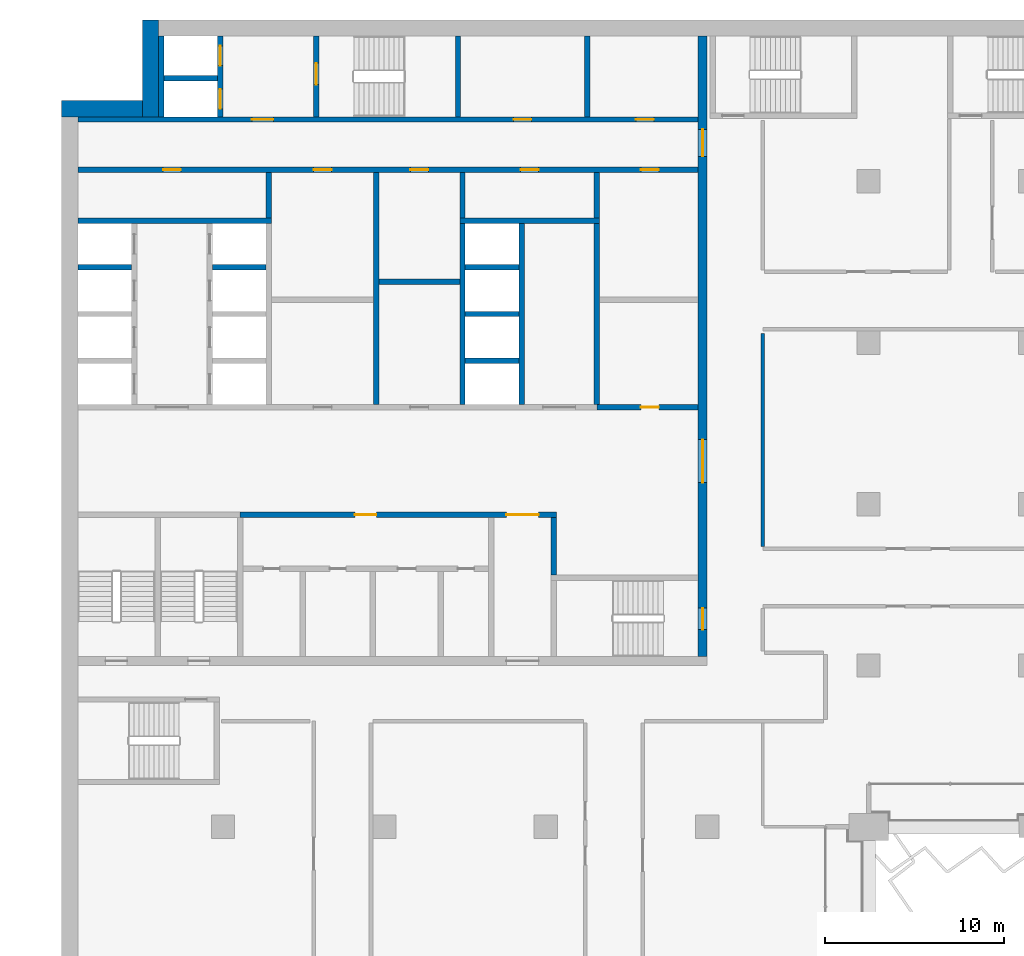
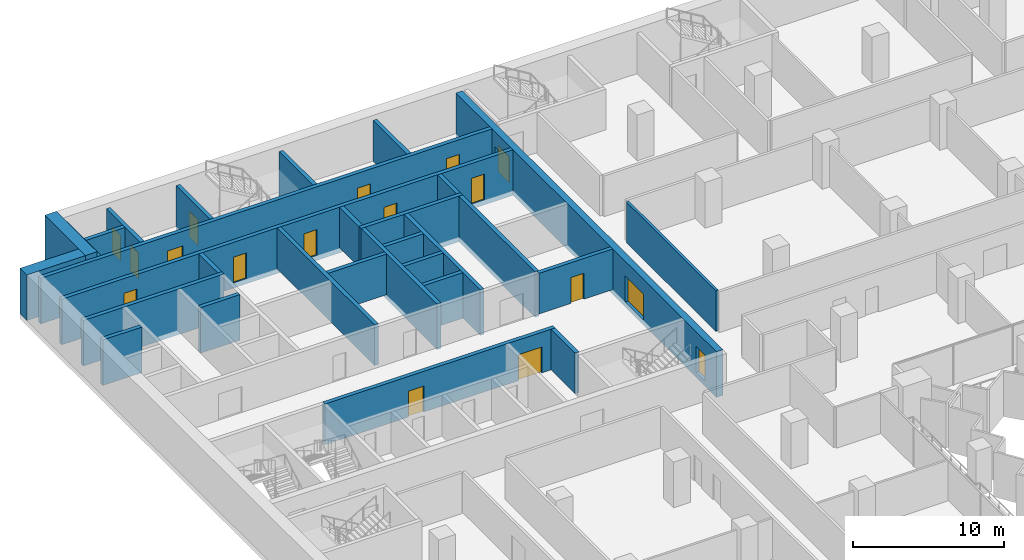
# One storey, part 13 of 22: 30 walls, 17 doors, 17 openings.
"""IFC4 building model written with IfcOpenShell, lengths in metres."""

import ifcopenshell
import ifcopenshell.guid

model = None  # the IFC model being written
_history = None  # IfcOwnerHistory: only IFC2X3 demands one
_inside = {}  # id of a spatial element -> (the spatial element, [elements in it])
_under = {}  # id of a project, library or spatial element -> (it, [spatial elements below it])
_declared = {}  # id of a project -> (the project, [libraries it declares])
_typed = {}  # id of a type object -> (the type object, [elements of that type])
_made_of = {}  # id of a material, layer set ... -> (it, [elements and type objects made of it])


def new_model(schema):
    """Start an empty IFC model of exactly this schema.

    Asked for "IFC4X3", IfcOpenShell would pick the latest addendum, in which some entities
    have other attributes; the version numbers below select the first issue.
    IFC2X3 requires an IfcOwnerHistory on every rooted entity: one is made here for all.
    """
    global model, _history
    if schema == "IFC4X3":
        model = ifcopenshell.file(schema_version=(4, 3, 0, 0))
    else:
        model = ifcopenshell.file(schema=schema)
    _inside.clear()
    _under.clear()
    _declared.clear()
    _typed.clear()
    _made_of.clear()
    _history = None
    if model.schema == "IFC2X3":
        org = make("IfcOrganization", Name="unknown")
        user = make(
            "IfcPersonAndOrganization",
            ThePerson=make("IfcPerson", FamilyName="unknown"),
            TheOrganization=org,
        )
        app = make(
            "IfcApplication",
            ApplicationDeveloper=org,
            Version="unknown",
            ApplicationFullName="unknown",
            ApplicationIdentifier="unknown",
        )
        _history = make(
            "IfcOwnerHistory",
            OwningUser=user,
            OwningApplication=app,
            ChangeAction="ADDED",
            CreationDate=0,
        )
    return model


def make(cls, **values):
    """One entity of the class cls with the attributes given. An attribute that is None is left unset."""
    return model.create_entity(
        cls, **{name: value for name, value in values.items() if value is not None}
    )


def rooted(cls, **values):
    """An entity with a GlobalId (a new one), such as an element, a storey or a relation."""
    return make(cls, GlobalId=ifcopenshell.guid.new(), OwnerHistory=_history, **values)


def si_unit(unit_type, name, prefix=None):
    """IfcSIUnit, for example si_unit("LENGTHUNIT", "METRE", prefix="MILLI")."""
    return make("IfcSIUnit", UnitType=unit_type, Prefix=prefix, Name=name)


def assignment(units):
    """IfcUnitAssignment: the units of a project."""
    return None if units is None else make("IfcUnitAssignment", Units=units)


def point(xyz):
    """IfcCartesianPoint."""
    return None if xyz is None else make("IfcCartesianPoint", Coordinates=xyz)


def direction(xyz):
    """IfcDirection."""
    return None if xyz is None else make("IfcDirection", DirectionRatios=xyz)


def frame(location, z_axis=None, x_axis=None):
    """IfcAxis2Placement3D, a coordinate frame: its origin and axes. An axis left out is left unset."""
    return make(
        "IfcAxis2Placement3D",
        Location=point(location),
        Axis=direction(z_axis),
        RefDirection=direction(x_axis),
    )


def frame_2d(location, x_axis=None):
    """IfcAxis2Placement2D, a coordinate frame in the plane: its origin and x axis."""
    return make(
        "IfcAxis2Placement2D", Location=point(location), RefDirection=direction(x_axis)
    )


def origin():
    """The frame at (0, 0, 0) with its axes left unset."""
    return frame((0.0, 0.0, 0.0))


def place(relative_to, where):
    """IfcLocalPlacement: puts the frame where relative to a parent placement (None: the world)."""
    return make(
        "IfcLocalPlacement", PlacementRelTo=relative_to, RelativePlacement=where
    )


def context(
    kind, dimensions, precision=None, world=None, true_north=None, identifier=None
):
    """IfcGeometricRepresentationContext, for example the 3D "Model" context."""
    return make(
        "IfcGeometricRepresentationContext",
        ContextIdentifier=identifier,
        ContextType=kind,
        CoordinateSpaceDimension=dimensions,
        Precision=precision,
        WorldCoordinateSystem=world,
        TrueNorth=true_north,
    )


def subcontext(parent, identifier, kind, view, scale=None):
    """IfcGeometricRepresentationSubContext, for example "Body" below "Model"."""
    return make(
        "IfcGeometricRepresentationSubContext",
        ContextIdentifier=identifier,
        ContextType=kind,
        ParentContext=parent,
        TargetScale=scale,
        TargetView=view,
    )


def project(units=None, contexts=None):
    """IfcProject with its units and contexts."""
    return rooted(
        "IfcProject",
        Name="project",
        RepresentationContexts=contexts,
        UnitsInContext=assignment(units),
    )


def spatial(cls, under=None, at=None, **own):
    """A site, building, storey or space (cls), placed at a placement, below another one or the project."""
    s = rooted(cls, ObjectPlacement=at, **own)
    if under is not None:
        _under.setdefault(under.id(), (under, []))[1].append(s)
    return s


def profile(cls, at=None, kind="AREA", **sizes):
    """A parametric profile (cls). Its sizes go by their IFC names, for example OverallWidth=200.0."""
    return make(cls, ProfileType=kind, Position=at, **sizes)


def rectangle(**sizes):
    """IfcRectangleProfileDef."""
    return profile("IfcRectangleProfileDef", **sizes)


def extrude(swept, where, along, depth):
    """IfcExtrudedAreaSolid: the profile swept, set in the frame where, extruded along a direction by depth."""
    return make(
        "IfcExtrudedAreaSolid",
        SweptArea=swept,
        Position=where,
        ExtrudedDirection=direction(along),
        Depth=depth,
    )


def shape(context_of_items, identifier, shape_type, items):
    """IfcShapeRepresentation: the items that make up one representation, for example the "Body"."""
    return make(
        "IfcShapeRepresentation",
        ContextOfItems=context_of_items,
        RepresentationIdentifier=identifier,
        RepresentationType=shape_type,
        Items=items,
    )


def material(Name=None, Category=None):
    """IfcMaterial."""
    return make("IfcMaterial", Name=Name, Category=Category)


def layer(
    of_material, thickness, ventilated=None, Name=None, Category=None, Priority=None
):
    """IfcMaterialLayer: one layer of a wall or slab, of a material (None: an air gap)."""
    return make(
        "IfcMaterialLayer",
        Material=of_material,
        LayerThickness=thickness,
        IsVentilated=ventilated,
        Name=Name,
        Category=Category,
        Priority=Priority,
    )


def layer_set(layers, Name=None):
    """IfcMaterialLayerSet."""
    return make("IfcMaterialLayerSet", MaterialLayers=layers, LayerSetName=Name)


def made_of(thing, what):
    """Note that an element or type object is made of a material, layer set ...; save() writes the relation."""
    if what is not None:
        _made_of.setdefault(what.id(), (what, []))[1].append(thing)
    return thing


def type_object(cls, material=None, **own):
    """A type object (cls), such as IfcWallType, which elements share."""
    return made_of(rooted(cls, **own), material)


def element(
    cls,
    number,
    at=None,
    inside=None,
    cuts=None,
    type_object=None,
    material=None,
    context=None,
    identifier="Body",
    shape_type=None,
    held_by="IfcProductDefinitionShape",
    body=None,
    shapes=None,
    **own,
):
    """One element of the class cls, such as IfcWall. Its Tag is "e" and its number.

    at: its placement. inside: the storey or other place that contains it. cuts: it is an
    opening in that element (IfcRelVoidsElement). A single representation is given by context,
    identifier, shape_type and body (its items); several are given by shapes. held_by: the class
    of the entity that holds the representations. save() writes the other relations.
    """
    e = rooted(cls, Tag="e%d" % number, ObjectPlacement=at, **own)
    if body is not None:
        shapes = [shape(context, identifier, shape_type, body)]
    if shapes is not None:
        e.Representation = make(held_by, Representations=shapes)
    if inside is not None:
        _inside.setdefault(inside.id(), (inside, []))[1].append(e)
    if cuts is not None:
        rooted(
            "IfcRelVoidsElement", RelatingBuildingElement=cuts, RelatedOpeningElement=e
        )
    if type_object is not None:
        _typed.setdefault(type_object.id(), (type_object, []))[1].append(e)
    return made_of(e, material)


def fill(opening, filler):
    """IfcRelFillsElement: the door or window that sits in an opening."""
    return rooted(
        "IfcRelFillsElement",
        RelatingOpeningElement=opening,
        RelatedBuildingElement=filler,
    )


def aggregate(whole, parts):
    """IfcRelAggregates: a whole, such as a stair, and the parts it consists of."""
    return rooted("IfcRelAggregates", RelatingObject=whole, RelatedObjects=parts)


def save(model, path):
    """Write the relations noted so far, then the file.

    IfcRelAggregates (storeys below a building ...), IfcRelContainedInSpatialStructure (elements
    in a storey), IfcRelDefinesByType, IfcRelAssociatesMaterial and IfcRelDeclares: one each for
    every whole, place, type object, material and project.
    """
    for whole, parts in _under.values():
        aggregate(whole, parts)
    for where, things in _inside.values():
        rooted(
            "IfcRelContainedInSpatialStructure",
            RelatedElements=things,
            RelatingStructure=where,
        )
    for kind, things in _typed.values():
        rooted("IfcRelDefinesByType", RelatedObjects=things, RelatingType=kind)
    for what, things in _made_of.values():
        rooted("IfcRelAssociatesMaterial", RelatedObjects=things, RelatingMaterial=what)
    for by, libraries in _declared.values():
        rooted("IfcRelDeclares", RelatingContext=by, RelatedDefinitions=libraries)
    model.write(path)


model = new_model("IFC4")

# Units and contexts
model_context = context("Model", 3, precision=1e-05, world=origin(), true_north=direction((0.0, 1.0)))
body_context = subcontext(model_context, "Body", "Model", "MODEL_VIEW")
ifc_project = project(units=[si_unit("LENGTHUNIT", "METRE"), si_unit("AREAUNIT", "SQUARE_METRE"), si_unit("VOLUMEUNIT", "CUBIC_METRE"), si_unit("PLANEANGLEUNIT", "RADIAN"), si_unit("MASSUNIT", "GRAM", prefix="KILO")], contexts=[model_context])

# Site, building, storey
site_placement = place(None, origin())
site = spatial("IfcSite", under=ifc_project, at=site_placement, CompositionType="ELEMENT")
building_placement = place(site_placement, origin())
building = spatial("IfcBuilding", under=site, at=building_placement, Name="Hunhe Ridgeline Campus", CompositionType="ELEMENT")
storey_placement = place(building_placement, frame((0.0, 0.0, 114.39990234375)))
storey = spatial("IfcBuildingStorey", under=building, at=storey_placement, Name="L28", CompositionType="ELEMENT", Elevation=114.39990234375)

# Wall, openings, doors
ifc_material_1 = material(Name="Masonry concrete blockwork", Category="masonry")
ifc_layer_1 = layer(ifc_material_1, 0.300048828125)
ifc_layer_set_1 = layer_set([ifc_layer_1], Name="Core room partition 300 concrete block")
wall_type_1 = type_object("IfcWallType", Name="Core room partition 300 concrete block", PredefinedType="PARTITIONING", material=ifc_layer_set_1)
wall_1_placement = place(storey_placement, frame((9.949951171875, 71.39990234375, 0.0), z_axis=(0.0, 0.0, 1.0), x_axis=(1.0, 0.0, 0.0)))
wall_1 = element("IfcWall", 1, at=wall_1_placement, inside=storey, type_object=wall_type_1, Name="L28 core partition 11", PredefinedType="PARTITIONING", context=body_context, shape_type="SweptSolid", body=[
    extrude(rectangle(XDim=17.650146484375, YDim=0.300048828125, at=frame_2d((8.8251953125, 0.0))), origin(), (0.0, 0.0, 1.0), 3.300048828125),
])
opening_1_placement = place(wall_1_placement, frame((14.85009765625, 0.0, 0.0)))
opening_1 = element("IfcOpeningElement", 2, at=opening_1_placement, cuts=wall_1, Name="Opening CD7", PredefinedType="OPENING", context=body_context, shape_type="SweptSolid", body=[
    extrude(rectangle(XDim=1.800048828125, YDim=2.10009765625, at=frame_2d((0.89990234375, 1.050048828125))), frame((0.0, 0.14990234375, 0.0), z_axis=(0.0, -1.0, 0.0), x_axis=(1.0, 0.0, 0.0)), (0.0, 0.0, 1.0), 0.300048828125),
])
opening_2_placement = place(wall_1_placement, frame((6.39990234375, 0.0, 0.0)))
opening_2 = element("IfcOpeningElement", 3, at=opening_2_placement, cuts=wall_1, Name="Opening CD37", PredefinedType="OPENING", context=body_context, shape_type="SweptSolid", body=[
    extrude(rectangle(XDim=1.199951171875, YDim=2.10009765625, at=frame_2d((0.60009765625, 1.050048828125))), frame((0.0, 0.14990234375, 0.0), z_axis=(0.0, -1.0, 0.0), x_axis=(1.0, 0.0, 0.0)), (0.0, 0.0, 1.0), 0.300048828125),
])
ifc_material_2 = material(Name="Anodised aluminium and glass", Category="aluminium")
door_type_1 = type_object("IfcDoorType", Name="Glazed double door 1800x2100", OperationType="DOUBLE_DOOR_SINGLE_SWING", PredefinedType="DOOR", material=ifc_material_2)
door_1_placement = place(opening_1_placement, origin())
door_1 = element("IfcDoor", 4, at=door_1_placement, inside=storey, type_object=door_type_1, Name="L28 door VEST-HALL", OperationType="DOUBLE_DOOR_SINGLE_SWING", OverallHeight=2.10009765625, OverallWidth=1.800048828125, PredefinedType="DOOR", context=body_context, shape_type="SweptSolid", body=[
    extrude(rectangle(XDim=1.800048828125, YDim=2.10009765625, at=frame_2d((0.89990234375, 1.050048828125))), frame((0.0, 0.02490234375, 0.0), z_axis=(0.0, -1.0, 0.0), x_axis=(1.0, 0.0, 0.0)), (0.0, 0.0, 1.0), 0.050048828125),
])
fill(opening_1, door_1)
ifc_material_3 = material(Name="Solid core timber door leaf", Category="wood")
door_type_2 = type_object("IfcDoorType", Name="Timber door 1200x2100", OperationType="SINGLE_SWING_LEFT", PredefinedType="DOOR", material=ifc_material_3)
door_2_placement = place(opening_2_placement, origin())
door_2 = element("IfcDoor", 5, at=door_2_placement, inside=storey, type_object=door_type_2, Name="L28 door WCL1-HALL", OperationType="SINGLE_SWING_LEFT", OverallHeight=2.10009765625, OverallWidth=1.199951171875, PredefinedType="DOOR", context=body_context, shape_type="SweptSolid", body=[
    extrude(rectangle(XDim=1.199951171875, YDim=2.10009765625, at=frame_2d((0.60009765625, 1.050048828125))), frame((0.0, 0.02490234375, 0.0), z_axis=(0.0, -1.0, 0.0), x_axis=(1.0, 0.0, 0.0)), (0.0, 0.0, 1.0), 0.050048828125),
])
fill(opening_2, door_2)

# Wall, opening, door
wall_2_placement = place(storey_placement, frame((29.85009765625, 77.39990234375, 0.0), z_axis=(0.0, 0.0, 1.0), x_axis=(1.0, 0.0, 0.0)))
wall_2 = element("IfcWall", 6, at=wall_2_placement, inside=storey, type_object=wall_type_1, Name="L28 core partition 13", PredefinedType="PARTITIONING", context=body_context, shape_type="SweptSolid", body=[
    extrude(rectangle(XDim=5.64990234375, YDim=0.300048828125, at=frame_2d((2.824951171875, 0.0))), origin(), (0.0, 0.0, 1.0), 3.300048828125),
])
opening_3_placement = place(wall_2_placement, frame((2.449951171875, 0.0, 0.0)))
opening_3 = element("IfcOpeningElement", 7, at=opening_3_placement, cuts=wall_2, Name="Opening CD32", PredefinedType="OPENING", context=body_context, shape_type="SweptSolid", body=[
    extrude(rectangle(XDim=1.0, YDim=2.10009765625, at=frame_2d((0.5, 1.050048828125))), frame((0.0, 0.14990234375, 0.0), z_axis=(0.0, -1.0, 0.0), x_axis=(1.0, 0.0, 0.0)), (0.0, 0.0, 1.0), 0.300048828125),
])
door_type_3 = type_object("IfcDoorType", Name="Timber door 1000x2100", OperationType="SINGLE_SWING_LEFT", PredefinedType="DOOR", material=ifc_material_3)
door_3_placement = place(opening_3_placement, origin())
door_3 = element("IfcDoor", 8, at=door_3_placement, inside=storey, type_object=door_type_3, Name="L28 door ES0", OperationType="SINGLE_SWING_RIGHT", OverallHeight=2.10009765625, OverallWidth=1.0, PredefinedType="DOOR", context=body_context, shape_type="SweptSolid", body=[
    extrude(rectangle(XDim=1.0, YDim=2.10009765625, at=frame_2d((0.5, 1.050048828125))), frame((0.0, 0.02490234375, 0.0), z_axis=(0.0, -1.0, 0.0), x_axis=(1.0, 0.0, 0.0)), (0.0, 0.0, 1.0), 0.050048828125),
])
fill(opening_3, door_3)

# Walls
wall_3_placement = place(storey_placement, frame((17.699951171875, 84.39990234375, 0.0), z_axis=(0.0, 0.0, 1.0), x_axis=(1.0, 0.0, 0.0)))
element("IfcWall", 9, at=wall_3_placement, inside=storey, type_object=wall_type_1, Name="L28 core partition 22", PredefinedType="PARTITIONING", context=body_context, shape_type="SweptSolid", body=[
    extrude(rectangle(XDim=4.5, YDim=0.300048828125, at=frame_2d((2.25, 0.0))), origin(), (0.0, 0.0, 1.0), 3.300048828125),
])
wall_4_placement = place(storey_placement, frame((11.550048828125, 87.949951171875, 0.0), z_axis=(0.0, 0.0, 1.0), x_axis=(0.0, 1.0, 0.0)))
element("IfcWall", 10, at=wall_4_placement, inside=storey, type_object=wall_type_1, Name="L28 core partition 43", PredefinedType="PARTITIONING", context=body_context, shape_type="SweptSolid", body=[
    extrude(rectangle(XDim=2.550048828125, YDim=0.300048828125, at=frame_2d((1.27490234375, 0.0))), origin(), (0.0, 0.0, 1.0), 3.300048828125),
])
wall_5_placement = place(storey_placement, frame((17.550048828125, 77.550048828125, 0.0), z_axis=(0.0, 0.0, 1.0), x_axis=(0.0, 1.0, 0.0)))
element("IfcWall", 11, at=wall_5_placement, inside=storey, type_object=wall_type_1, Name="L28 core partition 47", PredefinedType="PARTITIONING", context=body_context, shape_type="SweptSolid", body=[
    extrude(rectangle(XDim=12.949951171875, YDim=0.300048828125, at=frame_2d((6.47509765625, 0.0))), origin(), (0.0, 0.0, 1.0), 3.300048828125),
])
wall_6_placement = place(storey_placement, frame((22.35009765625, 87.949951171875, 0.0), z_axis=(0.0, 0.0, 1.0), x_axis=(0.0, 1.0, 0.0)))
element("IfcWall", 12, at=wall_6_placement, inside=storey, type_object=wall_type_1, Name="L28 core partition 52", PredefinedType="PARTITIONING", context=body_context, shape_type="SweptSolid", body=[
    extrude(rectangle(XDim=2.550048828125, YDim=0.300048828125, at=frame_2d((1.27490234375, 0.0))), origin(), (0.0, 0.0, 1.0), 3.300048828125),
])
wall_7_placement = place(storey_placement, frame((27.449951171875, 68.050048828125, 0.0), z_axis=(0.0, 0.0, 1.0), x_axis=(0.0, 1.0, 0.0)))
element("IfcWall", 13, at=wall_7_placement, inside=storey, type_object=wall_type_1, Name="L28 core partition 57", PredefinedType="PARTITIONING", context=body_context, shape_type="SweptSolid", body=[
    extrude(rectangle(XDim=3.199951171875, YDim=0.300048828125, at=frame_2d((1.60009765625, 0.0))), origin(), (0.0, 0.0, 1.0), 3.300048828125),
])
wall_8_placement = place(storey_placement, frame((29.300048828125, 93.60009765625, 0.0), z_axis=(0.0, 0.0, 1.0), x_axis=(0.0, 1.0, 0.0)))
element("IfcWall", 14, at=wall_8_placement, inside=storey, type_object=wall_type_1, Name="L28 core partition 58", PredefinedType="PARTITIONING", context=body_context, shape_type="SweptSolid", body=[
    extrude(rectangle(XDim=4.5, YDim=0.300048828125, at=frame_2d((2.25, 0.0))), origin(), (0.0, 0.0, 1.0), 3.300048828125),
])
wall_9_placement = place(storey_placement, frame((29.85009765625, 87.949951171875, 0.0), z_axis=(0.0, 0.0, 1.0), x_axis=(0.0, 1.0, 0.0)))
element("IfcWall", 15, at=wall_9_placement, inside=storey, type_object=wall_type_1, Name="L28 core partition 60", PredefinedType="PARTITIONING", context=body_context, shape_type="SweptSolid", body=[
    extrude(rectangle(XDim=2.550048828125, YDim=0.300048828125, at=frame_2d((1.27490234375, 0.0))), origin(), (0.0, 0.0, 1.0), 3.300048828125),
])

# Wall, openings, doors
ifc_material_4 = material(Name="Concrete C80", Category="concrete")
ifc_layer_2 = layer(ifc_material_4, 0.5)
ifc_layer_set_2 = layer_set([ifc_layer_2], Name="Core wall 500 reinforced concrete C80")
wall_type_2 = type_object("IfcWallType", Name="Core wall 500 reinforced concrete C80", PredefinedType="SOLIDWALL", material=ifc_layer_set_2)
wall_10_placement = place(storey_placement, frame((35.75, 63.5, -0.39990234375), z_axis=(0.0, 0.0, 1.0), x_axis=(0.0, 1.0, 0.0)))
wall_10 = element("IfcWall", 16, at=wall_10_placement, inside=storey, type_object=wall_type_2, Name="L28 core wall 61", PredefinedType="SOLIDWALL", context=body_context, shape_type="SweptSolid", body=[
    extrude(rectangle(XDim=34.60009765625, YDim=0.5, at=frame_2d((17.300048828125, 0.0))), origin(), (0.0, 0.0, 1.0), 3.699951171875),
])
opening_4_placement = place(wall_10_placement, frame((9.699951171875, 0.0, 0.39990234375)))
opening_4 = element("IfcOpeningElement", 17, at=opening_4_placement, cuts=wall_10, Name="Opening CD4", PredefinedType="OPENING", context=body_context, shape_type="SweptSolid", body=[
    extrude(rectangle(XDim=2.39990234375, YDim=2.10009765625, at=frame_2d((1.199951171875, 1.050048828125))), frame((0.0, 0.25, 0.0), z_axis=(0.0, -1.0, 0.0), x_axis=(1.0, 0.0, 0.0)), (0.0, 0.0, 1.0), 0.5),
])
opening_5_placement = place(wall_10_placement, frame((27.89990234375, 0.0, 0.39990234375)))
opening_5 = element("IfcOpeningElement", 18, at=opening_5_placement, cuts=wall_10, Name="Opening CD5", PredefinedType="OPENING", context=body_context, shape_type="SweptSolid", body=[
    extrude(rectangle(XDim=1.5, YDim=2.10009765625, at=frame_2d((0.75, 1.050048828125))), frame((0.0, 0.25, 0.0), z_axis=(0.0, -1.0, 0.0), x_axis=(1.0, 0.0, 0.0)), (0.0, 0.0, 1.0), 0.5),
])
opening_6_placement = place(wall_10_placement, frame((1.5, 0.0, 0.39990234375)))
opening_6 = element("IfcOpeningElement", 19, at=opening_6_placement, cuts=wall_10, Name="Opening CD15", PredefinedType="OPENING", context=body_context, shape_type="SweptSolid", body=[
    extrude(rectangle(XDim=1.199951171875, YDim=2.10009765625, at=frame_2d((0.60009765625, 1.050048828125))), frame((0.0, 0.25, 0.0), z_axis=(0.0, -1.0, 0.0), x_axis=(1.0, 0.0, 0.0)), (0.0, 0.0, 1.0), 0.5),
])
door_type_4 = type_object("IfcDoorType", Name="Glazed double door 2400x2100", OperationType="DOUBLE_DOOR_SINGLE_SWING", PredefinedType="DOOR", material=ifc_material_2)
door_4_placement = place(opening_4_placement, frame((2.39990234375, 0.0, 0.0), z_axis=(0.0, 0.0, 1.0), x_axis=(-1.0, 0.0, 0.0)))
door_4 = element("IfcDoor", 20, at=door_4_placement, inside=storey, type_object=door_type_4, Name="L28 door HALL-FLOOR", OperationType="DOUBLE_DOOR_SINGLE_SWING", OverallHeight=2.10009765625, OverallWidth=2.39990234375, PredefinedType="DOOR", context=body_context, shape_type="SweptSolid", body=[
    extrude(rectangle(XDim=2.39990234375, YDim=2.10009765625, at=frame_2d((1.199951171875, 1.050048828125))), frame((0.0, 0.02490234375, 0.0), z_axis=(0.0, -1.0, 0.0), x_axis=(1.0, 0.0, 0.0)), (0.0, 0.0, 1.0), 0.050048828125),
])
fill(opening_4, door_4)
ifc_material_5 = material(Name="Hollow metal fire door leaf")
door_type_5 = type_object("IfcDoorType", Name="Stair door 1200x2100 FD60", OperationType="SINGLE_SWING_LEFT", PredefinedType="DOOR", material=ifc_material_5)
door_5_placement = place(opening_6_placement, frame((1.199951171875, 0.0, 0.0), z_axis=(0.0, 0.0, 1.0), x_axis=(-1.0, 0.0, 0.0)))
door_5 = element("IfcDoor", 21, at=door_5_placement, inside=storey, type_object=door_type_5, Name="L28 door S2-FLOOR", OperationType="SINGLE_SWING_RIGHT", OverallHeight=2.10009765625, OverallWidth=1.199951171875, PredefinedType="DOOR", context=body_context, shape_type="SweptSolid", body=[
    extrude(rectangle(XDim=1.199951171875, YDim=2.10009765625, at=frame_2d((0.60009765625, 1.050048828125))), frame((0.0, 0.02490234375, 0.0), z_axis=(0.0, -1.0, 0.0), x_axis=(1.0, 0.0, 0.0)), (0.0, 0.0, 1.0), 0.050048828125),
])
fill(opening_6, door_5)
door_type_6 = type_object("IfcDoorType", Name="Timber door 1500x2100", OperationType="SINGLE_SWING_LEFT", PredefinedType="DOOR", material=ifc_material_3)
door_6_placement = place(opening_5_placement, frame((1.5, 0.0, 0.0), z_axis=(0.0, 0.0, 1.0), x_axis=(-1.0, 0.0, 0.0)))
door_6 = element("IfcDoor", 22, at=door_6_placement, inside=storey, type_object=door_type_6, Name="L28 door C1-FLOOR", OperationType="SINGLE_SWING_RIGHT", OverallHeight=2.10009765625, OverallWidth=1.5, PredefinedType="DOOR", context=body_context, shape_type="SweptSolid", body=[
    extrude(rectangle(XDim=1.5, YDim=2.10009765625, at=frame_2d((0.75, 1.050048828125))), frame((0.0, 0.02490234375, 0.0), z_axis=(0.0, -1.0, 0.0), x_axis=(1.0, 0.0, 0.0)), (0.0, 0.0, 1.0), 0.050048828125),
])
fill(opening_5, door_6)

# Wall
ifc_material_6 = material(Name="Gypsum board partition")
ifc_layer_3 = layer(ifc_material_6, 0.199951171875)
ifc_layer_set_3 = layer_set([ifc_layer_3], Name="Corridor partition 200 gypsum board on steel studs")
wall_type_3 = type_object("IfcWallType", Name="Corridor partition 200 gypsum board on steel studs", PredefinedType="PARTITIONING", material=ifc_layer_set_3)
wall_11_placement = place(storey_placement, frame((39.10009765625, 81.517578125, 0.0), z_axis=(0.0, 0.0, 1.0), x_axis=(0.0, -1.0, 0.0)))
element("IfcWall", 23, at=wall_11_placement, inside=storey, type_object=wall_type_3, Name="F-L28-wall-051", PredefinedType="PARTITIONING", context=body_context, shape_type="SweptSolid", body=[
    extrude(rectangle(XDim=11.87841796875, YDim=0.199951171875, at=frame_2d((5.939208984375, 0.0))), origin(), (0.0, 0.0, 1.0), 3.300048828125),
])

# Wall, openings, doors
ifc_layer_4 = layer(ifc_material_4, 0.300048828125)
ifc_layer_set_4 = layer_set([ifc_layer_4], Name="Lobby wall 300 reinforced concrete C80")
wall_type_4 = type_object("IfcWallType", Name="Lobby wall 300 reinforced concrete C80", PredefinedType="SOLIDWALL", material=ifc_layer_set_4)
wall_12_placement = place(storey_placement, frame((0.89990234375, 90.64990234375, -0.39990234375), z_axis=(0.0, 0.0, 1.0), x_axis=(1.0, 0.0, 0.0)))
wall_12 = element("IfcWall", 24, at=wall_12_placement, inside=storey, type_object=wall_type_4, Name="L28 core wall 28", PredefinedType="SOLIDWALL", context=body_context, shape_type="SweptSolid", body=[
    extrude(rectangle(XDim=34.60009765625, YDim=0.300048828125, at=frame_2d((17.300048828125, 0.0))), origin(), (0.0, 0.0, 1.0), 3.699951171875),
])
opening_7_placement = place(wall_12_placement, frame((4.75, 0.0, 0.39990234375)))
opening_7 = element("IfcOpeningElement", 25, at=opening_7_placement, cuts=wall_12, Name="Opening CD26", PredefinedType="OPENING", context=body_context, shape_type="SweptSolid", body=[
    extrude(rectangle(XDim=1.0, YDim=2.10009765625, at=frame_2d((0.5, 1.050048828125))), frame((0.0, 0.14990234375, 0.0), z_axis=(0.0, -1.0, 0.0), x_axis=(1.0, 0.0, 0.0)), (0.0, 0.0, 1.0), 0.300048828125),
])
opening_8_placement = place(wall_12_placement, frame((24.699951171875, 0.0, 0.39990234375)))
opening_8 = element("IfcOpeningElement", 26, at=opening_8_placement, cuts=wall_12, Name="Opening CD27", PredefinedType="OPENING", context=body_context, shape_type="SweptSolid", body=[
    extrude(rectangle(XDim=1.0, YDim=2.10009765625, at=frame_2d((0.5, 1.050048828125))), frame((0.0, 0.14990234375, 0.0), z_axis=(0.0, -1.0, 0.0), x_axis=(1.0, 0.0, 0.0)), (0.0, 0.0, 1.0), 0.300048828125),
])
opening_9_placement = place(wall_12_placement, frame((13.14990234375, 0.0, 0.39990234375)))
opening_9 = element("IfcOpeningElement", 27, at=opening_9_placement, cuts=wall_12, Name="Opening CD29", PredefinedType="OPENING", context=body_context, shape_type="SweptSolid", body=[
    extrude(rectangle(XDim=1.0, YDim=2.10009765625, at=frame_2d((0.5, 1.050048828125))), frame((0.0, 0.14990234375, 0.0), z_axis=(0.0, -1.0, 0.0), x_axis=(1.0, 0.0, 0.0)), (0.0, 0.0, 1.0), 0.300048828125),
])
opening_10_placement = place(wall_12_placement, frame((18.550048828125, 0.0, 0.39990234375)))
opening_10 = element("IfcOpeningElement", 28, at=opening_10_placement, cuts=wall_12, Name="Opening CD31", PredefinedType="OPENING", context=body_context, shape_type="SweptSolid", body=[
    extrude(rectangle(XDim=1.0, YDim=2.10009765625, at=frame_2d((0.5, 1.050048828125))), frame((0.0, 0.14990234375, 0.0), z_axis=(0.0, -1.0, 0.0), x_axis=(1.0, 0.0, 0.0)), (0.0, 0.0, 1.0), 0.300048828125),
])
opening_11_placement = place(wall_12_placement, frame((31.39990234375, 0.0, 0.39990234375)))
opening_11 = element("IfcOpeningElement", 29, at=opening_11_placement, cuts=wall_12, Name="Opening CD33", PredefinedType="OPENING", context=body_context, shape_type="SweptSolid", body=[
    extrude(rectangle(XDim=1.0, YDim=2.10009765625, at=frame_2d((0.5, 1.050048828125))), frame((0.0, 0.14990234375, 0.0), z_axis=(0.0, -1.0, 0.0), x_axis=(1.0, 0.0, 0.0)), (0.0, 0.0, 1.0), 0.300048828125),
])
door_7_placement = place(opening_7_placement, frame((1.0, 0.0, 0.0), z_axis=(0.0, 0.0, 1.0), x_axis=(-1.0, 0.0, 0.0)))
door_7 = element("IfcDoor", 30, at=door_7_placement, inside=storey, type_object=door_type_3, Name="L28 door NR-0", OperationType="SINGLE_SWING_RIGHT", OverallHeight=2.10009765625, OverallWidth=1.0, PredefinedType="DOOR", context=body_context, shape_type="SweptSolid", body=[
    extrude(rectangle(XDim=1.0, YDim=2.10009765625, at=frame_2d((0.5, 1.050048828125))), frame((0.0, 0.02490234375, 0.0), z_axis=(0.0, -1.0, 0.0), x_axis=(1.0, 0.0, 0.0)), (0.0, 0.0, 1.0), 0.050048828125),
])
fill(opening_7, door_7)
door_8_placement = place(opening_8_placement, frame((1.0, 0.0, 0.0), z_axis=(0.0, 0.0, 1.0), x_axis=(-1.0, 0.0, 0.0)))
door_8 = element("IfcDoor", 31, at=door_8_placement, inside=storey, type_object=door_type_3, Name="L28 door NR-1", OperationType="SINGLE_SWING_LEFT", OverallHeight=2.10009765625, OverallWidth=1.0, PredefinedType="DOOR", context=body_context, shape_type="SweptSolid", body=[
    extrude(rectangle(XDim=1.0, YDim=2.10009765625, at=frame_2d((0.5, 1.050048828125))), frame((0.0, 0.02490234375, 0.0), z_axis=(0.0, -1.0, 0.0), x_axis=(1.0, 0.0, 0.0)), (0.0, 0.0, 1.0), 0.050048828125),
])
fill(opening_8, door_8)
door_9_placement = place(opening_9_placement, frame((1.0, 0.0, 0.0), z_axis=(0.0, 0.0, 1.0), x_axis=(-1.0, 0.0, 0.0)))
door_9 = element("IfcDoor", 32, at=door_9_placement, inside=storey, type_object=door_type_3, Name="L28 door VD-HR1", OperationType="SINGLE_SWING_LEFT", OverallHeight=2.10009765625, OverallWidth=1.0, PredefinedType="DOOR", context=body_context, shape_type="SweptSolid", body=[
    extrude(rectangle(XDim=1.0, YDim=2.10009765625, at=frame_2d((0.5, 1.050048828125))), frame((0.0, 0.02490234375, 0.0), z_axis=(0.0, -1.0, 0.0), x_axis=(1.0, 0.0, 0.0)), (0.0, 0.0, 1.0), 0.050048828125),
])
fill(opening_9, door_9)
door_10_placement = place(opening_10_placement, frame((1.0, 0.0, 0.0), z_axis=(0.0, 0.0, 1.0), x_axis=(-1.0, 0.0, 0.0)))
door_10 = element("IfcDoor", 33, at=door_10_placement, inside=storey, type_object=door_type_3, Name="L28 door VD-HR3", OperationType="SINGLE_SWING_LEFT", OverallHeight=2.10009765625, OverallWidth=1.0, PredefinedType="DOOR", context=body_context, shape_type="SweptSolid", body=[
    extrude(rectangle(XDim=1.0, YDim=2.10009765625, at=frame_2d((0.5, 1.050048828125))), frame((0.0, 0.02490234375, 0.0), z_axis=(0.0, -1.0, 0.0), x_axis=(1.0, 0.0, 0.0)), (0.0, 0.0, 1.0), 0.050048828125),
])
fill(opening_10, door_10)
door_11_placement = place(opening_11_placement, frame((1.0, 0.0, 0.0), z_axis=(0.0, 0.0, 1.0), x_axis=(-1.0, 0.0, 0.0)))
door_11 = element("IfcDoor", 34, at=door_11_placement, inside=storey, type_object=door_type_3, Name="L28 door ES1", OperationType="SINGLE_SWING_RIGHT", OverallHeight=2.10009765625, OverallWidth=1.0, PredefinedType="DOOR", context=body_context, shape_type="SweptSolid", body=[
    extrude(rectangle(XDim=1.0, YDim=2.10009765625, at=frame_2d((0.5, 1.050048828125))), frame((0.0, 0.02490234375, 0.0), z_axis=(0.0, -1.0, 0.0), x_axis=(1.0, 0.0, 0.0)), (0.0, 0.0, 1.0), 0.050048828125),
])
fill(opening_11, door_11)

# Walls
wall_13_placement = place(storey_placement, frame((29.85009765625, 77.550048828125, -0.39990234375), z_axis=(0.0, 0.0, 1.0), x_axis=(0.0, 1.0, 0.0)))
element("IfcWall", 35, at=wall_13_placement, inside=storey, type_object=wall_type_4, Name="L28 core wall 59", PredefinedType="SOLIDWALL", context=body_context, shape_type="SweptSolid", body=[
    extrude(rectangle(XDim=10.099853515625, YDim=0.300048828125, at=frame_2d((5.0498046875, 0.0))), origin(), (0.0, 0.0, 1.0), 3.699951171875),
])
ifc_layer_5 = layer(ifc_material_4, 0.300048828125)
ifc_layer_set_5 = layer_set([ifc_layer_5], Name="Shaft wall 300 reinforced concrete C80")
wall_type_5 = type_object("IfcWallType", Name="Shaft wall 300 reinforced concrete C80", PredefinedType="SOLIDWALL", material=ifc_layer_set_5)
for number, where, z_axis, x_axis, name in (
    (36, (22.5, 80.0, -0.39990234375), (0.0, 0.0, 1.0), (1.0, 0.0, 0.0), "L28 core wall 16"),
    (37, (22.5, 82.60009765625, -0.39990234375), (0.0, 0.0, 1.0), (1.0, 0.0, 0.0), "L28 core wall 19"),
    (38, (0.89990234375, 85.199951171875, -0.39990234375), (0.0, 0.0, 1.0), (1.0, 0.0, 0.0), "L28 core wall 23"),
    (39, (8.39990234375, 85.199951171875, -0.39990234375), (0.0, 0.0, 1.0), (1.0, 0.0, 0.0), "L28 core wall 24"),
    (40, (22.5, 85.199951171875, -0.39990234375), (0.0, 0.0, 1.0), (1.0, 0.0, 0.0), "L28 core wall 25"),
):
    element("IfcWall", number, at=place(storey_placement, frame(where, z_axis=z_axis, x_axis=x_axis)), inside=storey, type_object=wall_type_5, Name=name, PredefinedType="SOLIDWALL", context=body_context, shape_type="SweptSolid", body=[
        extrude(rectangle(XDim=3.0, YDim=0.300048828125, at=frame_2d((1.5, 0.0))), origin(), (0.0, 0.0, 1.0), 3.699951171875),
    ])
wall_14_placement = place(storey_placement, frame((0.89990234375, 87.800048828125, -0.39990234375), z_axis=(0.0, 0.0, 1.0), x_axis=(1.0, 0.0, 0.0)))
element("IfcWall", 41, at=wall_14_placement, inside=storey, type_object=wall_type_5, Name="L28 core wall 26", PredefinedType="SOLIDWALL", context=body_context, shape_type="SweptSolid", body=[
    extrude(rectangle(XDim=10.800048828125, YDim=0.300048828125, at=frame_2d((5.39990234375, 0.0))), origin(), (0.0, 0.0, 1.0), 3.699951171875),
])
wall_15_placement = place(storey_placement, frame((22.199951171875, 87.800048828125, -0.39990234375), z_axis=(0.0, 0.0, 1.0), x_axis=(1.0, 0.0, 0.0)))
element("IfcWall", 42, at=wall_15_placement, inside=storey, type_object=wall_type_5, Name="L28 core wall 27", PredefinedType="SOLIDWALL", context=body_context, shape_type="SweptSolid", body=[
    extrude(rectangle(XDim=7.800048828125, YDim=0.300048828125, at=frame_2d((3.89990234375, 0.0))), origin(), (0.0, 0.0, 1.0), 3.699951171875),
])

# Wall, openings, doors
wall_16_placement = place(storey_placement, frame((0.89990234375, 93.449951171875, -0.39990234375), z_axis=(0.0, 0.0, 1.0), x_axis=(1.0, 0.0, 0.0)))
wall_16 = element("IfcWall", 43, at=wall_16_placement, inside=storey, type_object=wall_type_5, Name="L28 core wall 29", PredefinedType="SOLIDWALL", context=body_context, shape_type="SweptSolid", body=[
    extrude(rectangle(XDim=34.60009765625, YDim=0.300048828125, at=frame_2d((17.300048828125, 0.0))), origin(), (0.0, 0.0, 1.0), 3.699951171875),
])
opening_12_placement = place(wall_16_placement, frame((9.699951171875, 0.0, 0.39990234375)))
opening_12 = element("IfcOpeningElement", 44, at=opening_12_placement, cuts=wall_16, Name="Opening CD3", PredefinedType="OPENING", context=body_context, shape_type="SweptSolid", body=[
    extrude(rectangle(XDim=1.199951171875, YDim=2.10009765625, at=frame_2d((0.60009765625, 1.050048828125))), frame((0.0, 0.14990234375, 0.0), z_axis=(0.0, -1.0, 0.0), x_axis=(1.0, 0.0, 0.0)), (0.0, 0.0, 1.0), 0.300048828125),
])
opening_13_placement = place(wall_16_placement, frame((24.300048828125, 0.0, 0.39990234375)))
opening_13 = element("IfcOpeningElement", 45, at=opening_13_placement, cuts=wall_16, Name="Opening CD34", PredefinedType="OPENING", context=body_context, shape_type="SweptSolid", body=[
    extrude(rectangle(XDim=1.0, YDim=2.10009765625, at=frame_2d((0.5, 1.050048828125))), frame((0.0, 0.14990234375, 0.0), z_axis=(0.0, -1.0, 0.0), x_axis=(1.0, 0.0, 0.0)), (0.0, 0.0, 1.0), 0.300048828125),
])
opening_14_placement = place(wall_16_placement, frame((31.125, 0.0, 0.39990234375)))
opening_14 = element("IfcOpeningElement", 46, at=opening_14_placement, cuts=wall_16, Name="Opening CD35", PredefinedType="OPENING", context=body_context, shape_type="SweptSolid", body=[
    extrude(rectangle(XDim=1.0, YDim=2.10009765625, at=frame_2d((0.5, 1.050048828125))), frame((0.0, 0.14990234375, 0.0), z_axis=(0.0, -1.0, 0.0), x_axis=(1.0, 0.0, 0.0)), (0.0, 0.0, 1.0), 0.300048828125),
])
door_type_7 = type_object("IfcDoorType", Name="Lobby door 1200x2100 FD60", OperationType="SINGLE_SWING_LEFT", PredefinedType="DOOR", material=ifc_material_5)
door_12_placement = place(opening_12_placement, frame((1.199951171875, 0.0, 0.0), z_axis=(0.0, 0.0, 1.0), x_axis=(-1.0, 0.0, 0.0)))
door_12 = element("IfcDoor", 47, at=door_12_placement, inside=storey, type_object=door_type_7, Name="L28 door FF-C1", OperationType="SINGLE_SWING_LEFT", OverallHeight=2.10009765625, OverallWidth=1.199951171875, PredefinedType="DOOR", context=body_context, shape_type="SweptSolid", body=[
    extrude(rectangle(XDim=1.199951171875, YDim=2.10009765625, at=frame_2d((0.60009765625, 1.050048828125))), frame((0.0, 0.02490234375, 0.0), z_axis=(0.0, -1.0, 0.0), x_axis=(1.0, 0.0, 0.0)), (0.0, 0.0, 1.0), 0.050048828125),
])
fill(opening_12, door_12)
door_13_placement = place(opening_13_placement, origin())
door_13 = element("IfcDoor", 48, at=door_13_placement, inside=storey, type_object=door_type_3, Name="L28 door NB0", OperationType="SINGLE_SWING_RIGHT", OverallHeight=2.10009765625, OverallWidth=1.0, PredefinedType="DOOR", context=body_context, shape_type="SweptSolid", body=[
    extrude(rectangle(XDim=1.0, YDim=2.10009765625, at=frame_2d((0.5, 1.050048828125))), frame((0.0, 0.02490234375, 0.0), z_axis=(0.0, -1.0, 0.0), x_axis=(1.0, 0.0, 0.0)), (0.0, 0.0, 1.0), 0.050048828125),
])
fill(opening_13, door_13)
door_14_placement = place(opening_14_placement, origin())
door_14 = element("IfcDoor", 49, at=door_14_placement, inside=storey, type_object=door_type_3, Name="L28 door NB1", OperationType="SINGLE_SWING_LEFT", OverallHeight=2.10009765625, OverallWidth=1.0, PredefinedType="DOOR", context=body_context, shape_type="SweptSolid", body=[
    extrude(rectangle(XDim=1.0, YDim=2.10009765625, at=frame_2d((0.5, 1.050048828125))), frame((0.0, 0.02490234375, 0.0), z_axis=(0.0, -1.0, 0.0), x_axis=(1.0, 0.0, 0.0)), (0.0, 0.0, 1.0), 0.050048828125),
])
fill(opening_14, door_14)

# Walls
wall_17_placement = place(storey_placement, frame((5.699951171875, 95.75, -0.39990234375), z_axis=(0.0, 0.0, 1.0), x_axis=(1.0, 0.0, 0.0)))
element("IfcWall", 50, at=wall_17_placement, inside=storey, type_object=wall_type_5, Name="L28 core wall 33", PredefinedType="SOLIDWALL", context=body_context, shape_type="SweptSolid", body=[
    extrude(rectangle(XDim=3.0, YDim=0.300048828125, at=frame_2d((1.5, 0.0))), origin(), (0.0, 0.0, 1.0), 3.699951171875),
])
wall_18_placement = place(storey_placement, frame((5.550048828125, 93.60009765625, -0.39990234375), z_axis=(0.0, 0.0, 1.0), x_axis=(0.0, 1.0, 0.0)))
element("IfcWall", 51, at=wall_18_placement, inside=storey, type_object=wall_type_5, Name="L28 core wall 36", PredefinedType="SOLIDWALL", context=body_context, shape_type="SweptSolid", body=[
    extrude(rectangle(XDim=4.5, YDim=0.300048828125, at=frame_2d((2.25, 0.0))), origin(), (0.0, 0.0, 1.0), 3.699951171875),
])

# Wall, openings, doors
wall_19_placement = place(storey_placement, frame((8.85009765625, 93.60009765625, -0.39990234375), z_axis=(0.0, 0.0, 1.0), x_axis=(0.0, 1.0, 0.0)))
wall_19 = element("IfcWall", 52, at=wall_19_placement, inside=storey, type_object=wall_type_5, Name="L28 core wall 40", PredefinedType="SOLIDWALL", context=body_context, shape_type="SweptSolid", body=[
    extrude(rectangle(XDim=4.5, YDim=0.300048828125, at=frame_2d((2.25, 0.0))), origin(), (0.0, 0.0, 1.0), 3.699951171875),
])
opening_15_placement = place(wall_19_placement, frame((0.449951171875, 0.0, 0.39990234375)))
opening_15 = element("IfcOpeningElement", 53, at=opening_15_placement, cuts=wall_19, Name="Opening LD-FF1", PredefinedType="OPENING", context=body_context, shape_type="SweptSolid", body=[
    extrude(rectangle(XDim=1.10009765625, YDim=2.10009765625, at=frame_2d((0.550048828125, 1.050048828125))), frame((0.0, 0.14990234375, 0.0), z_axis=(0.0, -1.0, 0.0), x_axis=(1.0, 0.0, 0.0)), (0.0, 0.0, 1.0), 0.300048828125),
])
opening_16_placement = place(wall_19_placement, frame((2.85009765625, 0.0, 0.39990234375)))
opening_16 = element("IfcOpeningElement", 54, at=opening_16_placement, cuts=wall_19, Name="Opening LD-FF2", PredefinedType="OPENING", context=body_context, shape_type="SweptSolid", body=[
    extrude(rectangle(XDim=1.10009765625, YDim=2.10009765625, at=frame_2d((0.550048828125, 1.050048828125))), frame((0.0, 0.14990234375, 0.0), z_axis=(0.0, -1.0, 0.0), x_axis=(1.0, 0.0, 0.0)), (0.0, 0.0, 1.0), 0.300048828125),
])
ifc_material_7 = material(Name="Stainless steel sliding leaves", Category="steel")
door_type_8 = type_object("IfcDoorType", Name="Landing door 1100x2100 FD120", OperationType="SLIDING_TO_LEFT", PredefinedType="DOOR", material=ifc_material_7)
door_15_placement = place(opening_15_placement, origin())
door_15 = element("IfcDoor", 55, at=door_15_placement, inside=storey, type_object=door_type_8, Name="L28 landing door FF1", OperationType="SLIDING_TO_RIGHT", OverallHeight=2.10009765625, OverallWidth=1.10009765625, PredefinedType="DOOR", context=body_context, shape_type="SweptSolid", body=[
    extrude(rectangle(XDim=1.10009765625, YDim=2.10009765625, at=frame_2d((0.550048828125, 1.050048828125))), frame((0.0, 0.02490234375, 0.0), z_axis=(0.0, -1.0, 0.0), x_axis=(1.0, 0.0, 0.0)), (0.0, 0.0, 1.0), 0.050048828125),
])
fill(opening_15, door_15)
door_16_placement = place(opening_16_placement, origin())
door_16 = element("IfcDoor", 56, at=door_16_placement, inside=storey, type_object=door_type_8, Name="L28 landing door FF2", OperationType="SLIDING_TO_LEFT", OverallHeight=2.10009765625, OverallWidth=1.10009765625, PredefinedType="DOOR", context=body_context, shape_type="SweptSolid", body=[
    extrude(rectangle(XDim=1.10009765625, YDim=2.10009765625, at=frame_2d((0.550048828125, 1.050048828125))), frame((0.0, 0.02490234375, 0.0), z_axis=(0.0, -1.0, 0.0), x_axis=(1.0, 0.0, 0.0)), (0.0, 0.0, 1.0), 0.050048828125),
])
fill(opening_16, door_16)

# Walls
for number, where, z_axis, x_axis, name in (
    (57, (22.35009765625, 77.550048828125, -0.39990234375), (0.0, 0.0, 1.0), (0.0, 1.0, 0.0), "L28 core wall 51"),
    (58, (25.64990234375, 77.550048828125, -0.39990234375), (0.0, 0.0, 1.0), (0.0, 1.0, 0.0), "L28 core wall 55"),
):
    element("IfcWall", number, at=place(storey_placement, frame(where, z_axis=z_axis, x_axis=x_axis)), inside=storey, type_object=wall_type_5, Name=name, PredefinedType="SOLIDWALL", context=body_context, shape_type="SweptSolid", body=[
        extrude(rectangle(XDim=10.099853515625, YDim=0.300048828125, at=frame_2d((5.0498046875, 0.0))), origin(), (0.0, 0.0, 1.0), 3.699951171875),
    ])
ifc_material_8 = material(Name="Concrete C70", Category="concrete")
ifc_layer_6 = layer(ifc_material_8, 0.89990234375)
ifc_layer_set_6 = layer_set([ifc_layer_6], Name="Spine wall 900 Concrete C70")
wall_type_6 = type_object("IfcWallType", Name="Spine wall 900 Concrete C70", PredefinedType="SHEAR", material=ifc_layer_set_6)
for number, where, z_axis, x_axis, name in (
    (59, (4.949951171875, 99.0, 0.0), (0.0, 0.0, 1.0), (0.0, -1.0, 0.0), "Spine wall SW2-5 L28"),
    (60, (5.400146484375, 94.050048828125, 0.0), (0.0, 0.0, 1.0), (-1.0, 0.0, 0.0), "Spine wall SW2-6 L28"),
):
    element("IfcWall", number, at=place(storey_placement, frame(where, z_axis=z_axis, x_axis=x_axis)), inside=storey, type_object=wall_type_6, Name=name, PredefinedType="SHEAR", context=body_context, shape_type="SweptSolid", body=[
        extrude(rectangle(XDim=5.400146484375, YDim=0.89990234375, at=frame_2d((2.7001953125, 0.0))), origin(), (0.0, 0.0, 1.0), 3.7001953125),
    ])

# Wall, opening, door
ifc_layer_7 = layer(ifc_material_4, 0.300048828125)
ifc_layer_set_7 = layer_set([ifc_layer_7], Name="Stair wall 300 reinforced concrete C80")
wall_type_7 = type_object("IfcWallType", Name="Stair wall 300 reinforced concrete C80", PredefinedType="SOLIDWALL", material=ifc_layer_set_7)
wall_20_placement = place(storey_placement, frame((14.199951171875, 93.60009765625, -0.39990234375), z_axis=(0.0, 0.0, 1.0), x_axis=(0.0, 1.0, 0.0)))
wall_20 = element("IfcWall", 61, at=wall_20_placement, inside=storey, type_object=wall_type_7, Name="L28 core wall 45", PredefinedType="SOLIDWALL", context=body_context, shape_type="SweptSolid", body=[
    extrude(rectangle(XDim=4.5, YDim=0.300048828125, at=frame_2d((2.25, 0.0))), origin(), (0.0, 0.0, 1.0), 3.699951171875),
])
opening_17_placement = place(wall_20_placement, frame((1.800048828125, 0.0, 0.39990234375)))
opening_17 = element("IfcOpeningElement", 62, at=opening_17_placement, cuts=wall_20, Name="Opening CD16", PredefinedType="OPENING", context=body_context, shape_type="SweptSolid", body=[
    extrude(rectangle(XDim=1.199951171875, YDim=2.10009765625, at=frame_2d((0.60009765625, 1.050048828125))), frame((0.0, 0.14990234375, 0.0), z_axis=(0.0, -1.0, 0.0), x_axis=(1.0, 0.0, 0.0)), (0.0, 0.0, 1.0), 0.300048828125),
])
door_17_placement = place(opening_17_placement, origin())
door_17 = element("IfcDoor", 63, at=door_17_placement, inside=storey, type_object=door_type_5, Name="L28 door S1-FF", OperationType="SINGLE_SWING_LEFT", OverallHeight=2.10009765625, OverallWidth=1.199951171875, PredefinedType="DOOR", context=body_context, shape_type="SweptSolid", body=[
    extrude(rectangle(XDim=1.199951171875, YDim=2.10009765625, at=frame_2d((0.60009765625, 1.050048828125))), frame((0.0, 0.02490234375, 0.0), z_axis=(0.0, -1.0, 0.0), x_axis=(1.0, 0.0, 0.0)), (0.0, 0.0, 1.0), 0.050048828125),
])
fill(opening_17, door_17)

# Wall
wall_21_placement = place(storey_placement, frame((22.10009765625, 93.60009765625, -0.39990234375), z_axis=(0.0, 0.0, 1.0), x_axis=(0.0, 1.0, 0.0)))
element("IfcWall", 64, at=wall_21_placement, inside=storey, type_object=wall_type_7, Name="L28 core wall 50", PredefinedType="SOLIDWALL", context=body_context, shape_type="SweptSolid", body=[
    extrude(rectangle(XDim=4.5, YDim=0.300048828125, at=frame_2d((2.25, 0.0))), origin(), (0.0, 0.0, 1.0), 3.699951171875),
])

save(model, "model.ifc")
